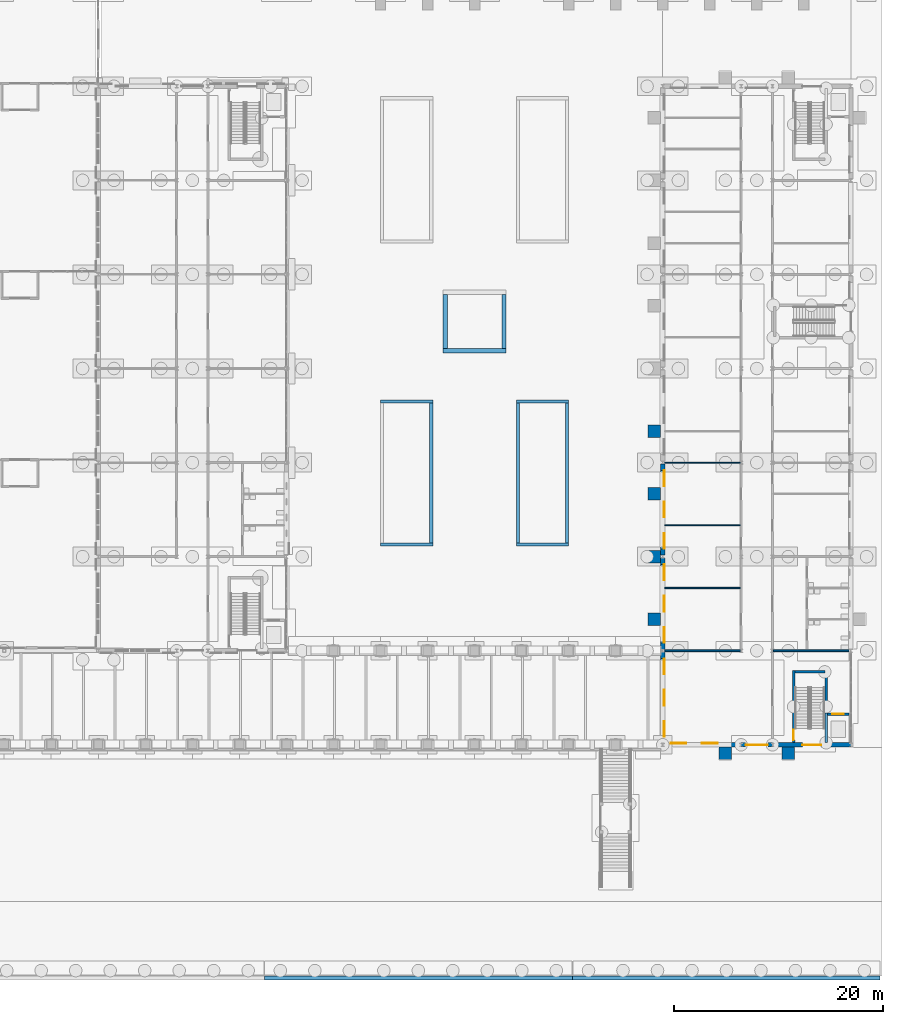
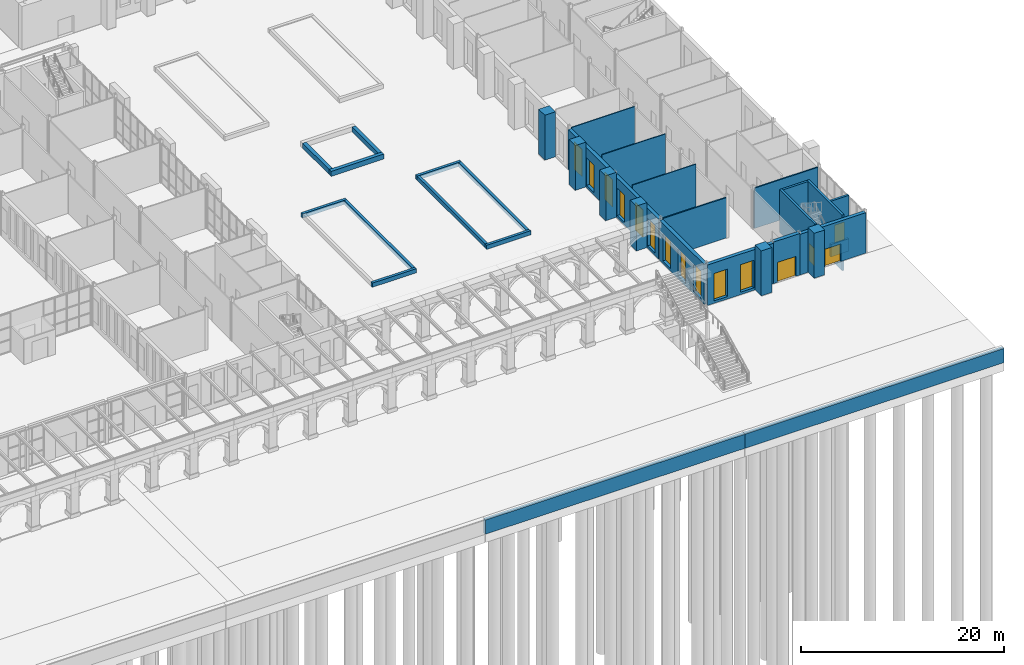
# One storey, part 101 of 168: 35 walls, 11 windows, 4 doors, 15 openings.
"""IFC4 building model written with IfcOpenShell, lengths in metres."""

from ifc_helpers import new_model, si_unit, direction, frame, frame_2d, origin, place, context, subcontext, project, spatial, rectangle, extrude, material, layer, layer_set, type_object, element, fill, save


model = new_model("IFC4")

# Units and contexts
model_context = context("Model", 3, precision=1e-05, world=origin(), true_north=direction((0.0, 1.0)))
body_context = subcontext(model_context, "Body", "Model", "MODEL_VIEW")
ifc_project = project(units=[si_unit("LENGTHUNIT", "METRE"), si_unit("AREAUNIT", "SQUARE_METRE"), si_unit("VOLUMEUNIT", "CUBIC_METRE"), si_unit("PLANEANGLEUNIT", "RADIAN"), si_unit("MASSUNIT", "GRAM", prefix="KILO")], contexts=[model_context])

# Site, building, storey
site_placement = place(None, origin())
site = spatial("IfcSite", under=ifc_project, at=site_placement, CompositionType="ELEMENT")
building_placement = place(site_placement, origin())
building = spatial("IfcBuilding", under=site, at=building_placement, Name="Golden Quay Civic Hall", CompositionType="ELEMENT")
storey_placement = place(building_placement, origin())
storey = spatial("IfcBuildingStorey", under=building, at=storey_placement, Name="L00", CompositionType="ELEMENT", Elevation=0.0)

# Wall, openings, windows
ifc_material_1 = material(Name="Brick, dark clay facing", Category="masonry")
ifc_layer_1 = layer(ifc_material_1, 0.39990234375)
ifc_layer_set_1 = layer_set([ifc_layer_1], Name="Brick external wall 400")
wall_type_1 = type_object("IfcWallType", Name="Brick external wall 400", PredefinedType="STANDARD", material=ifc_layer_set_1)
wall_1_placement = place(storey_placement, frame((153.0, -8.864990234375, 0.0), z_axis=(0.0, 0.0, 1.0), x_axis=(0.0, 1.0, 0.0)))
wall_1 = element("IfcWall", 1, at=wall_1_placement, inside=storey, type_object=wall_type_1, Name="Brick external wall 400 L00 11", PredefinedType="STANDARD", context=body_context, shape_type="SweptSolid", body=[
    extrude(rectangle(XDim=8.72998046875, YDim=0.39990234375, at=frame_2d((4.364990234375, 0.0))), origin(), (0.0, 0.0, 1.0), 4.800048828125),
])
opening_1_placement = place(wall_1_placement, frame((0.614990234375, 0.0, 0.300048828125)))
opening_1 = element("IfcOpeningElement", 2, at=opening_1_placement, cuts=wall_1, Name="Opening WN4", PredefinedType="OPENING", context=body_context, shape_type="SweptSolid", body=[
    extrude(rectangle(XDim=1.5, YDim=3.300048828125, at=frame_2d((0.75, 1.64990234375))), frame((0.0, 0.2099609375, 0.0), z_axis=(0.0, -1.0, 0.0), x_axis=(1.0, 0.0, 0.0)), (0.0, 0.0, 1.0), 0.419921875),
])
opening_2_placement = place(wall_1_placement, frame((3.614990234375, 0.0, 0.300048828125)))
opening_2 = element("IfcOpeningElement", 3, at=opening_2_placement, cuts=wall_1, Name="Opening WN4", PredefinedType="OPENING", context=body_context, shape_type="SweptSolid", body=[
    extrude(rectangle(XDim=1.5, YDim=3.300048828125, at=frame_2d((0.75, 1.64990234375))), frame((0.0, 0.2099609375, 0.0), z_axis=(0.0, -1.0, 0.0), x_axis=(1.0, 0.0, 0.0)), (0.0, 0.0, 1.0), 0.419921875),
])
opening_3_placement = place(wall_1_placement, frame((6.614990234375, 0.0, 0.300048828125)))
opening_3 = element("IfcOpeningElement", 4, at=opening_3_placement, cuts=wall_1, Name="Opening WN4", PredefinedType="OPENING", context=body_context, shape_type="SweptSolid", body=[
    extrude(rectangle(XDim=1.5, YDim=3.300048828125, at=frame_2d((0.75, 1.64990234375))), frame((0.0, 0.2099609375, 0.0), z_axis=(0.0, -1.0, 0.0), x_axis=(1.0, 0.0, 0.0)), (0.0, 0.0, 1.0), 0.419921875),
])
ifc_material_2 = material(Name="Aluminium frame, double glazed", Category="aluminium")
window_type = type_object("IfcWindowType", Name="Tall ground-floor window 1500 x 3300", PartitioningType="SINGLE_PANEL", PredefinedType="WINDOW", material=ifc_material_2)
window_1_placement = place(opening_1_placement, origin())
window_1 = element("IfcWindow", 5, at=window_1_placement, inside=storey, type_object=window_type, Name="Tall ground-floor window 1500 x 3300 L00 19", OverallHeight=3.300048828125, OverallWidth=1.5, PartitioningType="SINGLE_PANEL", PredefinedType="WINDOW", context=body_context, shape_type="SweptSolid", body=[
    extrude(rectangle(XDim=1.5, YDim=3.300048828125, at=frame_2d((0.75, 1.64990234375))), frame((0.0, -0.119873046875, 0.0), z_axis=(0.0, -1.0, 0.0), x_axis=(1.0, 0.0, 0.0)), (0.0, 0.0, 1.0), 0.06005859375),
])
fill(opening_1, window_1)
window_2_placement = place(opening_2_placement, origin())
window_2 = element("IfcWindow", 6, at=window_2_placement, inside=storey, type_object=window_type, Name="Tall ground-floor window 1500 x 3300 L00 20", OverallHeight=3.300048828125, OverallWidth=1.5, PartitioningType="SINGLE_PANEL", PredefinedType="WINDOW", context=body_context, shape_type="SweptSolid", body=[
    extrude(rectangle(XDim=1.5, YDim=3.300048828125, at=frame_2d((0.75, 1.64990234375))), frame((0.0, -0.119873046875, 0.0), z_axis=(0.0, -1.0, 0.0), x_axis=(1.0, 0.0, 0.0)), (0.0, 0.0, 1.0), 0.06005859375),
])
fill(opening_2, window_2)
window_3_placement = place(opening_3_placement, origin())
window_3 = element("IfcWindow", 7, at=window_3_placement, inside=storey, type_object=window_type, Name="Tall ground-floor window 1500 x 3300 L00 21", OverallHeight=3.300048828125, OverallWidth=1.5, PartitioningType="SINGLE_PANEL", PredefinedType="WINDOW", context=body_context, shape_type="SweptSolid", body=[
    extrude(rectangle(XDim=1.5, YDim=3.300048828125, at=frame_2d((0.75, 1.64990234375))), frame((0.0, -0.119873046875, 0.0), z_axis=(0.0, -1.0, 0.0), x_axis=(1.0, 0.0, 0.0)), (0.0, 0.0, 1.0), 0.06005859375),
])
fill(opening_3, window_3)

wall_2_placement = place(storey_placement, frame((153.0, 0.135009765625, 0.0), z_axis=(0.0, 0.0, 1.0), x_axis=(0.0, 1.0, 0.0)))
wall_2 = element("IfcWall", 8, at=wall_2_placement, inside=storey, type_object=wall_type_1, Name="Brick external wall 400 L00 12", PredefinedType="STANDARD", context=body_context, shape_type="SweptSolid", body=[
    extrude(rectangle(XDim=8.72998046875, YDim=0.39990234375, at=frame_2d((4.364990234375, 0.0))), origin(), (0.0, 0.0, 1.0), 4.800048828125),
])
opening_4_placement = place(wall_2_placement, frame((0.614990234375, 0.0, 0.300048828125)))
opening_4 = element("IfcOpeningElement", 9, at=opening_4_placement, cuts=wall_2, Name="Opening WN4", PredefinedType="OPENING", context=body_context, shape_type="SweptSolid", body=[
    extrude(rectangle(XDim=1.5, YDim=3.300048828125, at=frame_2d((0.75, 1.64990234375))), frame((0.0, 0.2099609375, 0.0), z_axis=(0.0, -1.0, 0.0), x_axis=(1.0, 0.0, 0.0)), (0.0, 0.0, 1.0), 0.419921875),
])
opening_5_placement = place(wall_2_placement, frame((3.614990234375, 0.0, 0.300048828125)))
opening_5 = element("IfcOpeningElement", 10, at=opening_5_placement, cuts=wall_2, Name="Opening WN4", PredefinedType="OPENING", context=body_context, shape_type="SweptSolid", body=[
    extrude(rectangle(XDim=1.5, YDim=3.300048828125, at=frame_2d((0.75, 1.64990234375))), frame((0.0, 0.2099609375, 0.0), z_axis=(0.0, -1.0, 0.0), x_axis=(1.0, 0.0, 0.0)), (0.0, 0.0, 1.0), 0.419921875),
])
opening_6_placement = place(wall_2_placement, frame((6.614990234375, 0.0, 0.300048828125)))
opening_6 = element("IfcOpeningElement", 11, at=opening_6_placement, cuts=wall_2, Name="Opening WN4", PredefinedType="OPENING", context=body_context, shape_type="SweptSolid", body=[
    extrude(rectangle(XDim=1.5, YDim=3.300048828125, at=frame_2d((0.75, 1.64990234375))), frame((0.0, 0.2099609375, 0.0), z_axis=(0.0, -1.0, 0.0), x_axis=(1.0, 0.0, 0.0)), (0.0, 0.0, 1.0), 0.419921875),
])
window_4_placement = place(opening_4_placement, origin())
window_4 = element("IfcWindow", 12, at=window_4_placement, inside=storey, type_object=window_type, Name="Tall ground-floor window 1500 x 3300 L00 22", OverallHeight=3.300048828125, OverallWidth=1.5, PartitioningType="SINGLE_PANEL", PredefinedType="WINDOW", context=body_context, shape_type="SweptSolid", body=[
    extrude(rectangle(XDim=1.5, YDim=3.300048828125, at=frame_2d((0.75, 1.64990234375))), frame((0.0, -0.119873046875, 0.0), z_axis=(0.0, -1.0, 0.0), x_axis=(1.0, 0.0, 0.0)), (0.0, 0.0, 1.0), 0.06005859375),
])
fill(opening_4, window_4)
window_5_placement = place(opening_5_placement, origin())
window_5 = element("IfcWindow", 13, at=window_5_placement, inside=storey, type_object=window_type, Name="Tall ground-floor window 1500 x 3300 L00 23", OverallHeight=3.300048828125, OverallWidth=1.5, PartitioningType="SINGLE_PANEL", PredefinedType="WINDOW", context=body_context, shape_type="SweptSolid", body=[
    extrude(rectangle(XDim=1.5, YDim=3.300048828125, at=frame_2d((0.75, 1.64990234375))), frame((0.0, -0.119873046875, 0.0), z_axis=(0.0, -1.0, 0.0), x_axis=(1.0, 0.0, 0.0)), (0.0, 0.0, 1.0), 0.06005859375),
])
fill(opening_5, window_5)
window_6_placement = place(opening_6_placement, origin())
window_6 = element("IfcWindow", 14, at=window_6_placement, inside=storey, type_object=window_type, Name="Tall ground-floor window 1500 x 3300 L00 24", OverallHeight=3.300048828125, OverallWidth=1.5, PartitioningType="SINGLE_PANEL", PredefinedType="WINDOW", context=body_context, shape_type="SweptSolid", body=[
    extrude(rectangle(XDim=1.5, YDim=3.300048828125, at=frame_2d((0.75, 1.64990234375))), frame((0.0, -0.119873046875, 0.0), z_axis=(0.0, -1.0, 0.0), x_axis=(1.0, 0.0, 0.0)), (0.0, 0.0, 1.0), 0.06005859375),
])
fill(opening_6, window_6)

wall_3_placement = place(storey_placement, frame((153.0, 9.135009765625, 0.0), z_axis=(0.0, 0.0, 1.0), x_axis=(0.0, 1.0, 0.0)))
wall_3 = element("IfcWall", 15, at=wall_3_placement, inside=storey, type_object=wall_type_1, Name="Brick external wall 400 L00 13", PredefinedType="STANDARD", context=body_context, shape_type="SweptSolid", body=[
    extrude(rectangle(XDim=8.72998046875, YDim=0.39990234375, at=frame_2d((4.364990234375, 0.0))), origin(), (0.0, 0.0, 1.0), 4.800048828125),
])
opening_7_placement = place(wall_3_placement, frame((0.614990234375, 0.0, 0.300048828125)))
opening_7 = element("IfcOpeningElement", 16, at=opening_7_placement, cuts=wall_3, Name="Opening WN4", PredefinedType="OPENING", context=body_context, shape_type="SweptSolid", body=[
    extrude(rectangle(XDim=1.5, YDim=3.300048828125, at=frame_2d((0.75, 1.64990234375))), frame((0.0, 0.2099609375, 0.0), z_axis=(0.0, -1.0, 0.0), x_axis=(1.0, 0.0, 0.0)), (0.0, 0.0, 1.0), 0.419921875),
])
opening_8_placement = place(wall_3_placement, frame((3.614990234375, 0.0, 0.300048828125)))
opening_8 = element("IfcOpeningElement", 17, at=opening_8_placement, cuts=wall_3, Name="Opening WN4", PredefinedType="OPENING", context=body_context, shape_type="SweptSolid", body=[
    extrude(rectangle(XDim=1.5, YDim=3.300048828125, at=frame_2d((0.75, 1.64990234375))), frame((0.0, 0.2099609375, 0.0), z_axis=(0.0, -1.0, 0.0), x_axis=(1.0, 0.0, 0.0)), (0.0, 0.0, 1.0), 0.419921875),
])
opening_9_placement = place(wall_3_placement, frame((6.614990234375, 0.0, 0.300048828125)))
opening_9 = element("IfcOpeningElement", 18, at=opening_9_placement, cuts=wall_3, Name="Opening WN4", PredefinedType="OPENING", context=body_context, shape_type="SweptSolid", body=[
    extrude(rectangle(XDim=1.5, YDim=3.300048828125, at=frame_2d((0.75, 1.64990234375))), frame((0.0, 0.2099609375, 0.0), z_axis=(0.0, -1.0, 0.0), x_axis=(1.0, 0.0, 0.0)), (0.0, 0.0, 1.0), 0.419921875),
])
window_7_placement = place(opening_7_placement, origin())
window_7 = element("IfcWindow", 19, at=window_7_placement, inside=storey, type_object=window_type, Name="Tall ground-floor window 1500 x 3300 L00 25", OverallHeight=3.300048828125, OverallWidth=1.5, PartitioningType="SINGLE_PANEL", PredefinedType="WINDOW", context=body_context, shape_type="SweptSolid", body=[
    extrude(rectangle(XDim=1.5, YDim=3.300048828125, at=frame_2d((0.75, 1.64990234375))), frame((0.0, -0.119873046875, 0.0), z_axis=(0.0, -1.0, 0.0), x_axis=(1.0, 0.0, 0.0)), (0.0, 0.0, 1.0), 0.06005859375),
])
fill(opening_7, window_7)
window_8_placement = place(opening_8_placement, origin())
window_8 = element("IfcWindow", 20, at=window_8_placement, inside=storey, type_object=window_type, Name="Tall ground-floor window 1500 x 3300 L00 26", OverallHeight=3.300048828125, OverallWidth=1.5, PartitioningType="SINGLE_PANEL", PredefinedType="WINDOW", context=body_context, shape_type="SweptSolid", body=[
    extrude(rectangle(XDim=1.5, YDim=3.300048828125, at=frame_2d((0.75, 1.64990234375))), frame((0.0, -0.119873046875, 0.0), z_axis=(0.0, -1.0, 0.0), x_axis=(1.0, 0.0, 0.0)), (0.0, 0.0, 1.0), 0.06005859375),
])
fill(opening_8, window_8)
window_9_placement = place(opening_9_placement, origin())
window_9 = element("IfcWindow", 21, at=window_9_placement, inside=storey, type_object=window_type, Name="Tall ground-floor window 1500 x 3300 L00 27", OverallHeight=3.300048828125, OverallWidth=1.5, PartitioningType="SINGLE_PANEL", PredefinedType="WINDOW", context=body_context, shape_type="SweptSolid", body=[
    extrude(rectangle(XDim=1.5, YDim=3.300048828125, at=frame_2d((0.75, 1.64990234375))), frame((0.0, -0.119873046875, 0.0), z_axis=(0.0, -1.0, 0.0), x_axis=(1.0, 0.0, 0.0)), (0.0, 0.0, 1.0), 0.06005859375),
])
fill(opening_9, window_9)

wall_4_placement = place(storey_placement, frame((160.490966796875, -9.0, 0.0), z_axis=(0.0, 0.0, 1.0), x_axis=(-1.0, 0.0, 0.0)))
wall_4 = element("IfcWall", 22, at=wall_4_placement, inside=storey, type_object=wall_type_1, Name="Brick external wall 400 L00 24", PredefinedType="STANDARD", context=body_context, shape_type="SweptSolid", body=[
    extrude(rectangle(XDim=7.48193359375, YDim=0.39990234375, at=frame_2d((3.740966796875, 0.0))), origin(), (0.0, 0.0, 1.0), 4.8701171875),
])
opening_10_placement = place(wall_4_placement, frame((5.240966796875, 0.0, 0.300048828125)))
opening_10 = element("IfcOpeningElement", 23, at=opening_10_placement, cuts=wall_4, Name="Opening WN4", PredefinedType="OPENING", context=body_context, shape_type="SweptSolid", body=[
    extrude(rectangle(XDim=1.5, YDim=3.300048828125, at=frame_2d((0.75, 1.64990234375))), frame((0.0, 0.2099609375, 0.0), z_axis=(0.0, -1.0, 0.0), x_axis=(1.0, 0.0, 0.0)), (0.0, 0.0, 1.0), 0.419921875),
])
opening_11_placement = place(wall_4_placement, frame((2.240966796875, 0.0, 0.300048828125)))
opening_11 = element("IfcOpeningElement", 24, at=opening_11_placement, cuts=wall_4, Name="Opening WN4", PredefinedType="OPENING", context=body_context, shape_type="SweptSolid", body=[
    extrude(rectangle(XDim=1.5, YDim=3.300048828125, at=frame_2d((0.75, 1.64990234375))), frame((0.0, 0.2099609375, 0.0), z_axis=(0.0, -1.0, 0.0), x_axis=(1.0, 0.0, 0.0)), (0.0, 0.0, 1.0), 0.419921875),
])
window_10_placement = place(opening_10_placement, origin())
window_10 = element("IfcWindow", 25, at=window_10_placement, inside=storey, type_object=window_type, Name="Tall ground-floor window 1500 x 3300 L00 51", OverallHeight=3.300048828125, OverallWidth=1.5, PartitioningType="SINGLE_PANEL", PredefinedType="WINDOW", context=body_context, shape_type="SweptSolid", body=[
    extrude(rectangle(XDim=1.5, YDim=3.300048828125, at=frame_2d((0.75, 1.64990234375))), frame((0.0, -0.119873046875, 0.0), z_axis=(0.0, -1.0, 0.0), x_axis=(1.0, 0.0, 0.0)), (0.0, 0.0, 1.0), 0.06005859375),
])
fill(opening_10, window_10)
window_11_placement = place(opening_11_placement, origin())
window_11 = element("IfcWindow", 26, at=window_11_placement, inside=storey, type_object=window_type, Name="Tall ground-floor window 1500 x 3300 L00 52", OverallHeight=3.300048828125, OverallWidth=1.5, PartitioningType="SINGLE_PANEL", PredefinedType="WINDOW", context=body_context, shape_type="SweptSolid", body=[
    extrude(rectangle(XDim=1.5, YDim=3.300048828125, at=frame_2d((0.75, 1.64990234375))), frame((0.0, -0.119873046875, 0.0), z_axis=(0.0, -1.0, 0.0), x_axis=(1.0, 0.0, 0.0)), (0.0, 0.0, 1.0), 0.06005859375),
])
fill(opening_11, window_11)

# Wall, opening, door
wall_5_placement = place(storey_placement, frame((163.490966796875, -9.0, 0.0), z_axis=(0.0, 0.0, 1.0), x_axis=(-1.0, 0.0, 0.0)))
wall_5 = element("IfcWall", 27, at=wall_5_placement, inside=storey, type_object=wall_type_1, Name="Brick external wall 400 L00 25", PredefinedType="STANDARD", context=body_context, shape_type="SweptSolid", body=[
    extrude(rectangle(XDim=2.98193359375, YDim=0.39990234375, at=frame_2d((1.490966796875, 0.0))), origin(), (0.0, 0.0, 1.0), 5.0),
])
opening_12_placement = place(wall_5_placement, frame((0.430908203125, 0.0, 0.0)))
opening_12 = element("IfcOpeningElement", 28, at=opening_12_placement, cuts=wall_5, Name="Opening L00-D015", PredefinedType="OPENING", context=body_context, shape_type="SweptSolid", body=[
    extrude(rectangle(XDim=2.1201171875, YDim=2.39990234375, at=frame_2d((1.06005859375, 1.199951171875))), frame((0.0, 0.2099609375, 0.0), z_axis=(0.0, -1.0, 0.0), x_axis=(1.0, 0.0, 0.0)), (0.0, 0.0, 1.0), 0.419921875),
])
ifc_material_3 = material(Name="Aluminium frame, glazed", Category="aluminium")
door_type_1 = type_object("IfcDoorType", Name="Glazed double entrance door 2120 x 2400", OperationType="DOUBLE_DOOR_SINGLE_SWING", PredefinedType="DOOR", material=ifc_material_3)
door_1_placement = place(opening_12_placement, origin())
door_1 = element("IfcDoor", 29, at=door_1_placement, inside=storey, type_object=door_type_1, Name="Door L00-D015", OperationType="DOUBLE_DOOR_SINGLE_SWING", OverallHeight=2.39990234375, OverallWidth=2.1201171875, PredefinedType="DOOR", context=body_context, shape_type="SweptSolid", body=[
    extrude(rectangle(XDim=2.1201171875, YDim=2.39990234375, at=frame_2d((1.06005859375, 1.199951171875))), frame((0.0, 0.02490234375, 0.0), z_axis=(0.0, -1.0, 0.0), x_axis=(1.0, 0.0, 0.0)), (0.0, 0.0, 1.0), 0.050048828125),
])
fill(opening_12, door_1)

ifc_material_4 = material(Name="Brick, dark clay facing", Category="masonry")
ifc_layer_2 = layer(ifc_material_4, 0.39990234375)
ifc_layer_set_2 = layer_set([ifc_layer_2], Name="Brick external wall 400 fire EI 60")
wall_type_2 = type_object("IfcWallType", Name="Brick external wall 400 fire EI 60", PredefinedType="STANDARD", material=ifc_layer_set_2)
wall_6_placement = place(storey_placement, frame((170.990966796875, -9.0, 0.0), z_axis=(0.0, 0.0, 1.0), x_axis=(-1.0, 0.0, 0.0)))
wall_6 = element("IfcWall", 30, at=wall_6_placement, inside=storey, type_object=wall_type_2, Name="Brick external wall 400 fire EI 60 L00 5", PredefinedType="STANDARD", context=body_context, shape_type="SweptSolid", body=[
    extrude(rectangle(XDim=7.48193359375, YDim=0.39990234375, at=frame_2d((3.740966796875, 0.0))), origin(), (0.0, 0.0, 1.0), 4.8701171875),
])
opening_13_placement = place(wall_6_placement, frame((2.841064453125, 0.0, 0.0)))
opening_13 = element("IfcOpeningElement", 31, at=opening_13_placement, cuts=wall_6, Name="Opening L00-D016", PredefinedType="OPENING", context=body_context, shape_type="SweptSolid", body=[
    extrude(rectangle(XDim=1.800048828125, YDim=2.10009765625, at=frame_2d((0.89990234375, 1.050048828125))), frame((0.0, 0.2099609375, 0.0), z_axis=(0.0, -1.0, 0.0), x_axis=(1.0, 0.0, 0.0)), (0.0, 0.0, 1.0), 0.419921875),
])
ifc_material_5 = material(Name="Steel", Category="steel")
door_type_2 = type_object("IfcDoorType", Name="Steel double exit door FD60 1800 x 2100", OperationType="DOUBLE_DOOR_SINGLE_SWING", PredefinedType="DOOR", material=ifc_material_5)
door_2_placement = place(opening_13_placement, origin())
door_2 = element("IfcDoor", 32, at=door_2_placement, inside=storey, type_object=door_type_2, Name="Door L00-D016", OperationType="DOUBLE_DOOR_SINGLE_SWING", OverallHeight=2.10009765625, OverallWidth=1.800048828125, PredefinedType="DOOR", context=body_context, shape_type="SweptSolid", body=[
    extrude(rectangle(XDim=1.800048828125, YDim=2.10009765625, at=frame_2d((0.89990234375, 1.050048828125))), frame((0.0, 0.02490234375, 0.0), z_axis=(0.0, -1.0, 0.0), x_axis=(1.0, 0.0, 0.0)), (0.0, 0.0, 1.0), 0.050048828125),
])
fill(opening_13, door_2)

# Walls
ifc_material_6 = material(Name="Brick, dark clay facing", Category="masonry")
ifc_layer_3 = layer(ifc_material_6, 1.199951171875)
ifc_layer_set_3 = layer_set([ifc_layer_3], Name="Brick pilaster 1200 x 1200")
wall_type_3 = type_object("IfcWallType", Name="Brick pilaster 1200 x 1200", PredefinedType="STANDARD", material=ifc_layer_set_3)
for number, where, z_axis, x_axis, name in (
    (33, (152.199951171875, 2.39990234375, 0.0), (0.0, 0.0, 1.0), (0.0, 1.0, 0.0), "Brick pilaster 1200 x 1200 L00 9"),
    (34, (152.199951171875, 8.39990234375, 0.0), (0.0, 0.0, 1.0), (0.0, 1.0, 0.0), "Brick pilaster 1200 x 1200 L00 10"),
    (35, (152.199951171875, 14.39990234375, 0.0), (0.0, 0.0, 1.0), (0.0, 1.0, 0.0), "Brick pilaster 1200 x 1200 L00 11"),
    (36, (152.199951171875, 20.39990234375, 0.0), (0.0, 0.0, 1.0), (0.0, 1.0, 0.0), "Brick pilaster 1200 x 1200 L00 12"),
    (37, (158.39990234375, -9.800048828125, 0.0), (0.0, 0.0, 1.0), (1.0, 0.0, 0.0), "Brick pilaster 1200 x 1200 L00 22"),
    (38, (164.39990234375, -9.800048828125, 0.0), (0.0, 0.0, 1.0), (1.0, 0.0, 0.0), "Brick pilaster 1200 x 1200 L00 23"),
):
    element("IfcWall", number, at=place(storey_placement, frame(where, z_axis=z_axis, x_axis=x_axis)), inside=storey, type_object=wall_type_3, Name=name, PredefinedType="STANDARD", context=body_context, shape_type="SweptSolid", body=[
        extrude(rectangle(XDim=1.2001953125, YDim=1.199951171875, at=frame_2d((0.60009765625, 0.0))), origin(), (0.0, 0.0, 1.0), 5.39990234375),
    ])
ifc_material_7 = material(Name="Brick, dark clay facing", Category="masonry")
ifc_layer_4 = layer(ifc_material_7, 0.300048828125)
ifc_layer_set_4 = layer_set([ifc_layer_4], Name="Brick planter wall 300")
wall_type_4 = type_object("IfcWallType", Name="Brick planter wall 300", PredefinedType="STANDARD", material=ifc_layer_set_4)
for number, where, z_axis, x_axis, name in (
    (39, (126.0, 10.14990234375, 0.0), (0.0, 0.0, 1.0), (1.0, 0.0, 0.0), "Court planter East Court 1"),
    (40, (126.0, 23.85009765625, 0.0), (0.0, 0.0, 1.0), (1.0, 0.0, 0.0), "Court planter East Court 1"),
):
    element("IfcWall", number, at=place(storey_placement, frame(where, z_axis=z_axis, x_axis=x_axis)), inside=storey, type_object=wall_type_4, Name=name, PredefinedType="STANDARD", context=body_context, shape_type="SweptSolid", body=[
        extrude(rectangle(XDim=5.0, YDim=0.300048828125, at=frame_2d((2.5, 0.0))), origin(), (0.0, 0.0, 1.0), 0.5),
    ])
wall_7_placement = place(storey_placement, frame((130.85009765625, 10.300048828125, 0.0), z_axis=(0.0, 0.0, 1.0), x_axis=(0.0, 1.0, 0.0)))
element("IfcWall", 41, at=wall_7_placement, inside=storey, type_object=wall_type_4, Name="Court planter East Court 1", PredefinedType="STANDARD", context=body_context, shape_type="SweptSolid", body=[
    extrude(rectangle(XDim=13.39990234375, YDim=0.300048828125, at=frame_2d((6.699951171875, 0.0))), origin(), (0.0, 0.0, 1.0), 0.5),
])
for number, where, z_axis, x_axis, name in (
    (42, (139.0, 10.14990234375, 0.0), (0.0, 0.0, 1.0), (1.0, 0.0, 0.0), "Court planter East Court 3"),
    (43, (139.0, 23.85009765625, 0.0), (0.0, 0.0, 1.0), (1.0, 0.0, 0.0), "Court planter East Court 3"),
):
    element("IfcWall", number, at=place(storey_placement, frame(where, z_axis=z_axis, x_axis=x_axis)), inside=storey, type_object=wall_type_4, Name=name, PredefinedType="STANDARD", context=body_context, shape_type="SweptSolid", body=[
        extrude(rectangle(XDim=5.0, YDim=0.300048828125, at=frame_2d((2.5, 0.0))), origin(), (0.0, 0.0, 1.0), 0.5),
    ])
for number, where, z_axis, x_axis, name in (
    (44, (139.14990234375, 10.300048828125, 0.0), (0.0, 0.0, 1.0), (0.0, 1.0, 0.0), "Court planter East Court 3"),
    (45, (143.85009765625, 10.300048828125, 0.0), (0.0, 0.0, 1.0), (0.0, 1.0, 0.0), "Court planter East Court 3"),
):
    element("IfcWall", number, at=place(storey_placement, frame(where, z_axis=z_axis, x_axis=x_axis)), inside=storey, type_object=wall_type_4, Name=name, PredefinedType="STANDARD", context=body_context, shape_type="SweptSolid", body=[
        extrude(rectangle(XDim=13.39990234375, YDim=0.300048828125, at=frame_2d((6.699951171875, 0.0))), origin(), (0.0, 0.0, 1.0), 0.5),
    ])
ifc_material_8 = material(Name="Concrete C40/50", Category="concrete")
ifc_layer_5 = layer(ifc_material_8, 0.25)
ifc_layer_set_5 = layer_set([ifc_layer_5], Name="Concrete core wall 250, Concrete C40/50")
wall_type_5 = type_object("IfcWallType", Name="Concrete core wall 250", PredefinedType="SHEAR", material=ifc_layer_set_5)
wall_8_placement = place(storey_placement, frame((168.625, -8.800048828125, 0.0), z_axis=(0.0, 0.0, 1.0), x_axis=(0.0, 1.0, 0.0)))
element("IfcWall", 46, at=wall_8_placement, inside=storey, type_object=wall_type_5, Name="Core wall EO-S-W1", PredefinedType="SHEAR", context=body_context, shape_type="SweptSolid", body=[
    extrude(rectangle(XDim=6.900146484375, YDim=0.25, at=frame_2d((3.4501953125, 0.0))), origin(), (0.0, 0.0, 1.0), 5.199951171875),
])

# Wall, opening, door
wall_9_placement = place(storey_placement, frame((165.52490234375, -8.800048828125, 0.0), z_axis=(0.0, 0.0, 1.0), x_axis=(0.0, 1.0, 0.0)))
wall_9 = element("IfcWall", 47, at=wall_9_placement, inside=storey, type_object=wall_type_5, Name="Core wall EO-S-W2", PredefinedType="SHEAR", context=body_context, shape_type="SweptSolid", body=[
    extrude(rectangle(XDim=6.900146484375, YDim=0.25, at=frame_2d((3.4501953125, 0.0))), origin(), (0.0, 0.0, 1.0), 5.199951171875),
])
opening_14_placement = place(wall_9_placement, frame((0.25, 0.0, 0.0)))
opening_14 = element("IfcOpeningElement", 48, at=opening_14_placement, cuts=wall_9, Name="Opening L00-D166", PredefinedType="OPENING", context=body_context, shape_type="SweptSolid", body=[
    extrude(rectangle(XDim=1.0, YDim=2.10009765625, at=frame_2d((0.5, 1.050048828125))), frame((0.0, 0.135009765625, 0.0), z_axis=(0.0, -1.0, 0.0), x_axis=(1.0, 0.0, 0.0)), (0.0, 0.0, 1.0), 0.27001953125),
])
ifc_material_9 = material(Name="Steel", Category="steel")
door_type_3 = type_object("IfcDoorType", Name="Steel fire door FD60 1000 x 2100", OperationType="SINGLE_SWING_LEFT", PredefinedType="DOOR", material=ifc_material_9)
door_3_placement = place(opening_14_placement, frame((1.0, 0.0, 0.0), z_axis=(0.0, 0.0, 1.0), x_axis=(-1.0, 0.0, 0.0)))
door_3 = element("IfcDoor", 49, at=door_3_placement, inside=storey, type_object=door_type_3, Name="Door L00-D166", OperationType="SINGLE_SWING_RIGHT", OverallHeight=2.10009765625, OverallWidth=1.0, PredefinedType="DOOR", context=body_context, shape_type="SweptSolid", body=[
    extrude(rectangle(XDim=1.0, YDim=2.10009765625, at=frame_2d((0.5, 1.050048828125))), frame((0.0, 0.025146484375, 0.0), z_axis=(0.0, -1.0, 0.0), x_axis=(1.0, 0.0, 0.0)), (0.0, 0.0, 1.0), 0.050048828125),
])
fill(opening_14, door_3)

# Wall
wall_10_placement = place(storey_placement, frame((165.64990234375, -2.02490234375, 0.0), z_axis=(0.0, 0.0, 1.0), x_axis=(1.0, 0.0, 0.0)))
element("IfcWall", 50, at=wall_10_placement, inside=storey, type_object=wall_type_5, Name="Core wall EO-S-W3", PredefinedType="SHEAR", context=body_context, shape_type="SweptSolid", body=[
    extrude(rectangle(XDim=2.85009765625, YDim=0.25, at=frame_2d((1.425048828125, 0.0))), origin(), (0.0, 0.0, 1.0), 5.199951171875),
])

# Wall, opening, door
wall_11_placement = place(storey_placement, frame((168.75, -6.074951171875, 0.0), z_axis=(0.0, 0.0, 1.0), x_axis=(1.0, 0.0, 0.0)))
wall_11 = element("IfcWall", 51, at=wall_11_placement, inside=storey, type_object=wall_type_5, Name="Core wall EO-S-W4", PredefinedType="SHEAR", context=body_context, shape_type="SweptSolid", body=[
    extrude(rectangle(XDim=2.050048828125, YDim=0.25, at=frame_2d((1.02490234375, 0.0))), origin(), (0.0, 0.0, 1.0), 5.199951171875),
])
opening_15_placement = place(wall_11_placement, frame((0.47509765625, 0.0, 0.0)))
opening_15 = element("IfcOpeningElement", 52, at=opening_15_placement, cuts=wall_11, Name="Opening L00-D173", PredefinedType="OPENING", context=body_context, shape_type="SweptSolid", body=[
    extrude(rectangle(XDim=1.10009765625, YDim=2.10009765625, at=frame_2d((0.550048828125, 1.050048828125))), frame((0.0, 0.135009765625, 0.0), z_axis=(0.0, -1.0, 0.0), x_axis=(1.0, 0.0, 0.0)), (0.0, 0.0, 1.0), 0.27001953125),
])
ifc_material_10 = material(Name="Steel", Category="steel")
door_type_4 = type_object("IfcDoorType", Name="Lift landing door 1100 x 2100", OperationType="SLIDING_TO_LEFT", PredefinedType="DOOR", material=ifc_material_10)
door_4_placement = place(opening_15_placement, origin())
door_4 = element("IfcDoor", 53, at=door_4_placement, inside=storey, type_object=door_type_4, Name="Lift landing door L00-D173 EO-S", OperationType="SLIDING_TO_LEFT", OverallHeight=2.10009765625, OverallWidth=1.10009765625, PredefinedType="DOOR", context=body_context, shape_type="SweptSolid", body=[
    extrude(rectangle(XDim=1.10009765625, YDim=2.10009765625, at=frame_2d((0.550048828125, 1.050048828125))), frame((0.0, 0.02490234375, 0.0), z_axis=(0.0, -1.0, 0.0), x_axis=(1.0, 0.0, 0.0)), (0.0, 0.0, 1.0), 0.050048828125),
])
fill(opening_15, door_4)

# Walls
wall_12_placement = place(storey_placement, frame((168.625, -8.800048828125, -1.5), z_axis=(0.0, 0.0, 1.0), x_axis=(0.0, 1.0, 0.0)))
element("IfcWall", 54, at=wall_12_placement, inside=storey, type_object=wall_type_5, Name="Lift pit wall P1", PredefinedType="SHEAR", context=body_context, shape_type="SweptSolid", body=[
    extrude(rectangle(XDim=2.85009765625, YDim=0.25, at=frame_2d((1.425048828125, 0.0))), origin(), (0.0, 0.0, 1.0), 1.5),
])
wall_13_placement = place(storey_placement, frame((168.75, -6.074951171875, -1.5), z_axis=(0.0, 0.0, 1.0), x_axis=(1.0, 0.0, 0.0)))
element("IfcWall", 55, at=wall_13_placement, inside=storey, type_object=wall_type_5, Name="Lift pit wall P2", PredefinedType="SHEAR", context=body_context, shape_type="SweptSolid", body=[
    extrude(rectangle(XDim=2.050048828125, YDim=0.25, at=frame_2d((1.02490234375, 0.0))), origin(), (0.0, 0.0, 1.0), 1.5),
])
ifc_material_11 = material(Name="Plasterboard on steel studs", Category="steel")
ifc_layer_6 = layer(ifc_material_11, 0.10009765625)
ifc_layer_set_6 = layer_set([ifc_layer_6], Name="Partition 100 stud")
wall_type_6 = type_object("IfcWallType", Name="Partition 100 stud", PredefinedType="PARTITIONING", material=ifc_layer_set_6)
for number, where, z_axis, x_axis, name in (
    (56, (153.199951171875, 6.0, 0.0), (0.0, 0.0, 1.0), (1.0, 0.0, 0.0), "Partition L00-009"),
    (57, (153.199951171875, 12.0, 0.0), (0.0, 0.0, 1.0), (1.0, 0.0, 0.0), "Partition L00-010"),
):
    element("IfcWall", number, at=place(storey_placement, frame(where, z_axis=z_axis, x_axis=x_axis)), inside=storey, type_object=wall_type_6, Name=name, PredefinedType="PARTITIONING", context=body_context, shape_type="SweptSolid", body=[
        extrude(rectangle(XDim=7.22509765625, YDim=0.10009765625, at=frame_2d((3.612548828125, 0.0))), origin(), (0.0, 0.0, 1.0), 5.199951171875),
    ])
wall_14_placement = place(storey_placement, frame((153.199951171875, 18.0, 0.0), z_axis=(0.0, 0.0, 1.0), x_axis=(1.0, 0.0, 0.0)))
element("IfcWall", 58, at=wall_14_placement, inside=storey, type_object=wall_type_6, Name="Partition L00-011", PredefinedType="PARTITIONING", context=body_context, shape_type="SweptSolid", body=[
    extrude(rectangle(XDim=7.22509765625, YDim=0.10009765625, at=frame_2d((3.612548828125, 0.0))), origin(), (0.0, 0.0, 1.0), 4.85009765625),
])
ifc_material_12 = material(Name="Plasterboard on steel studs", Category="steel")
ifc_layer_7 = layer(ifc_material_12, 0.14990234375)
ifc_layer_set_7 = layer_set([ifc_layer_7], Name="Partition 150 stud fire EI 60")
wall_type_7 = type_object("IfcWallType", Name="Partition 150 stud fire EI 60", PredefinedType="PARTITIONING", material=ifc_layer_set_7)
for number, where, z_axis, x_axis, name in (
    (59, (153.199951171875, 0.0, 0.0), (0.0, 0.0, 1.0), (1.0, 0.0, 0.0), "Partition L00-008"),
    (60, (163.574951171875, 0.0, 0.0), (0.0, 0.0, 1.0), (1.0, 0.0, 0.0), "Partition L00-019"),
):
    element("IfcWall", number, at=place(storey_placement, frame(where, z_axis=z_axis, x_axis=x_axis)), inside=storey, type_object=wall_type_7, Name=name, PredefinedType="PARTITIONING", context=body_context, shape_type="SweptSolid", body=[
        extrude(rectangle(XDim=7.22509765625, YDim=0.14990234375, at=frame_2d((3.612548828125, 0.0))), origin(), (0.0, 0.0, 1.0), 4.85009765625),
    ])
ifc_material_13 = material(Name="Concrete C40/50", Category="concrete")
ifc_layer_8 = layer(ifc_material_13, 0.39990234375)
ifc_layer_set_8 = layer_set([ifc_layer_8], Name="Quay wall 400")
wall_type_8 = type_object("IfcWallType", Name="Quay wall 400", PredefinedType="STANDARD", material=ifc_layer_set_8)
wall_15_placement = place(storey_placement, frame((114.8798828125, -31.300048828125, -0.60009765625), z_axis=(0.0, 0.0, 1.0), x_axis=(1.0, 0.0, 0.0)))
element("IfcWall", 61, at=wall_15_placement, inside=storey, type_object=wall_type_8, Name="Quay wall run 5", PredefinedType="STANDARD", context=body_context, shape_type="SweptSolid", body=[
    extrude(rectangle(XDim=29.480224609375, YDim=0.39990234375, at=frame_2d((14.740234375, 0.0))), origin(), (0.0, 0.0, 1.0), 1.7001953125),
])
wall_16_placement = place(storey_placement, frame((144.360107421875, -31.300048828125, -0.60009765625), z_axis=(0.0, 0.0, 1.0), x_axis=(1.0, 0.0, 0.0)))
element("IfcWall", 62, at=wall_16_placement, inside=storey, type_object=wall_type_8, Name="Quay wall run 6", PredefinedType="STANDARD", context=body_context, shape_type="SweptSolid", body=[
    extrude(rectangle(XDim=29.43994140625, YDim=0.39990234375, at=frame_2d((14.719970703125, 0.0))), origin(), (0.0, 0.0, 1.0), 1.7001953125),
])
ifc_material_14 = material(Name="Granite", Category="masonry")
ifc_layer_9 = layer(ifc_material_14, 0.39990234375)
ifc_layer_set_9 = layer_set([ifc_layer_9], Name="Stone basin and seat wall 400")
wall_type_9 = type_object("IfcWallType", Name="Stone basin and seat wall 400", PredefinedType="STANDARD", material=ifc_layer_set_9)
wall_17_placement = place(storey_placement, frame((132.0, 28.699951171875, 0.0), z_axis=(0.0, 0.0, 1.0), x_axis=(1.0, 0.0, 0.0)))
element("IfcWall", 63, at=wall_17_placement, inside=storey, type_object=wall_type_9, Name="Fountain basin East Court", PredefinedType="STANDARD", context=body_context, shape_type="SweptSolid", body=[
    extrude(rectangle(XDim=6.0, YDim=0.39990234375, at=frame_2d((3.0, 0.0))), origin(), (0.0, 0.0, 1.0), 0.60009765625),
])
for number, where, z_axis, x_axis, name in (
    (64, (132.199951171875, 28.89990234375, 0.0), (0.0, 0.0, 1.0), (0.0, 1.0, 0.0), "Fountain basin East Court"),
    (65, (137.800048828125, 28.89990234375, 0.0), (0.0, 0.0, 1.0), (0.0, 1.0, 0.0), "Fountain basin East Court"),
):
    element("IfcWall", number, at=place(storey_placement, frame(where, z_axis=z_axis, x_axis=x_axis)), inside=storey, type_object=wall_type_9, Name=name, PredefinedType="STANDARD", context=body_context, shape_type="SweptSolid", body=[
        extrude(rectangle(XDim=5.2001953125, YDim=0.39990234375, at=frame_2d((2.60009765625, 0.0))), origin(), (0.0, 0.0, 1.0), 0.60009765625),
    ])

save(model, "model.ifc")
